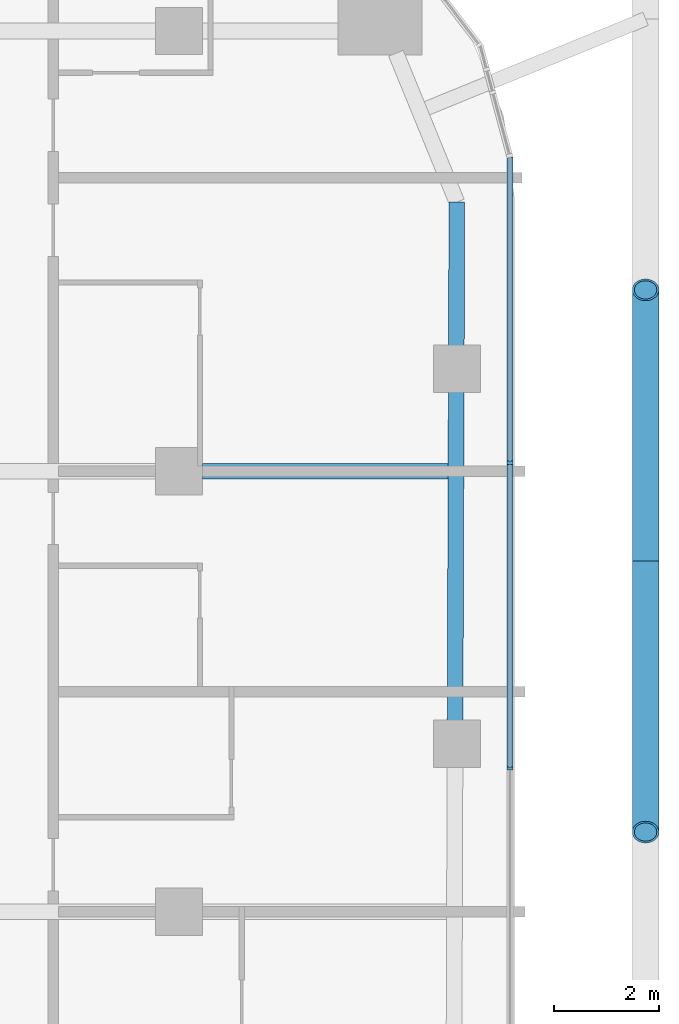
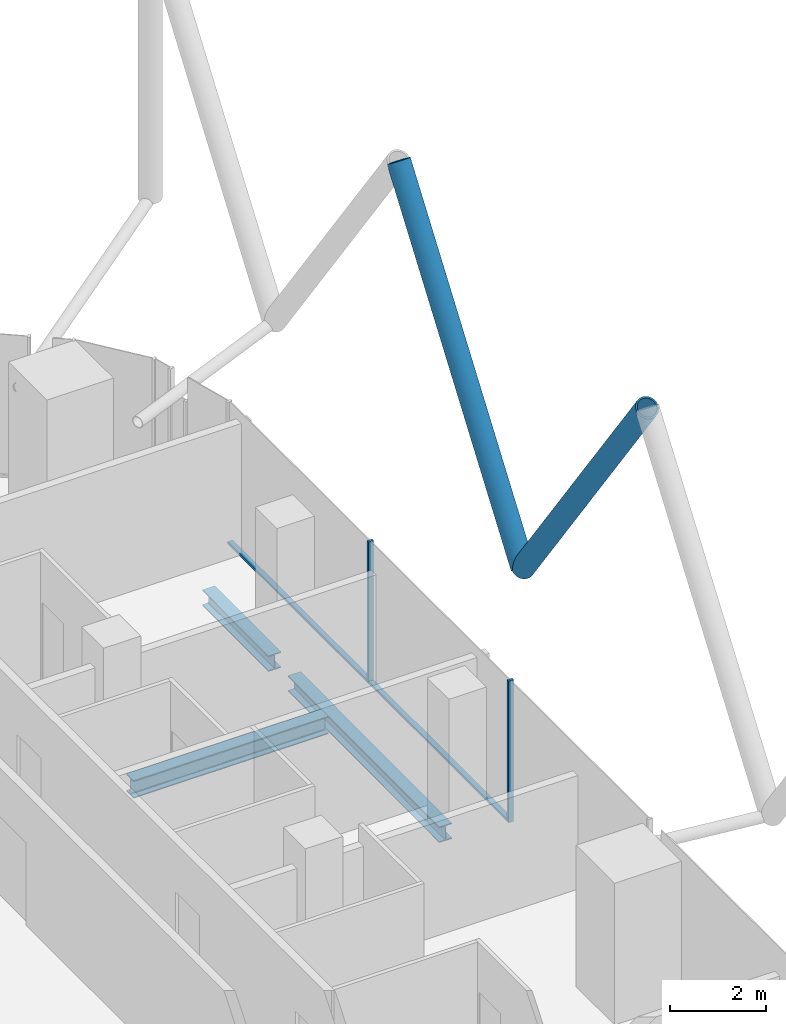
# One storey, part 13 of 36: 6 members, 3 beams, 1 element without a shape of its own.
"""IFC4 building model written with IfcOpenShell, lengths in metres."""

from ifc_helpers import new_model, si_unit, direction, frame, origin, origin_2d, place, context, subcontext, project, spatial, rectangle, hollow_circle, i_section, extrude, material, layer, layer_set, material_profile, profile_set, type_object, element, aggregate, save


model = new_model("IFC4")

# Units and contexts
model_context = context("Model", 3, precision=1e-05, world=origin(), true_north=direction((0.0, 1.0)))
body_context = subcontext(model_context, "Body", "Model", "MODEL_VIEW")
ifc_project = project(units=[si_unit("LENGTHUNIT", "METRE"), si_unit("AREAUNIT", "SQUARE_METRE"), si_unit("VOLUMEUNIT", "CUBIC_METRE"), si_unit("PLANEANGLEUNIT", "RADIAN"), si_unit("MASSUNIT", "GRAM", prefix="KILO")], contexts=[model_context])

# Site, building, storey
site_placement = place(None, origin())
site = spatial("IfcSite", under=ifc_project, at=site_placement, CompositionType="ELEMENT")
building_placement = place(site_placement, origin())
building = spatial("IfcBuilding", under=site, at=building_placement, Name="Marenta Gate Hotel Tower", CompositionType="ELEMENT")
storey_placement = place(building_placement, frame((0.0, 0.0, 130.10009765625)))
storey = spatial("IfcBuildingStorey", under=building, at=storey_placement, Name="L29", CompositionType="ELEMENT", Elevation=130.10009765625)

# Members
ifc_material_1 = material(Name="Steel S355J2W", Category="steel")
ifc_material_profile_1 = material_profile(ifc_material_1, hollow_circle(Radius=0.25390625, WallThickness=0.0400390625, at=origin_2d()), Name="CHS 508x40")
ifc_profile_set_1 = profile_set([ifc_material_profile_1], Name="Steel S355J2W")
member_type_1 = type_object("IfcMemberType", Name="Diagrid diagonal Z2 CHS 508x40", PredefinedType="BRACE", material=ifc_profile_set_1)
member_1_placement = place(storey_placement, frame((29.89990234375, 15.090087890625, 3.139892578125), z_axis=(0.0, 0.583260841117, 0.812284919975), x_axis=(-1.0, 0.0, 0.0)))
element("IfcMember", 1, at=member_1_placement, inside=storey, type_object=member_type_1, Name="L29-DG-3", PredefinedType="BRACE", context=body_context, shape_type="SweptSolid", body=[
    extrude(hollow_circle(Radius=0.25390625, WallThickness=0.0400390625, at=origin_2d()), origin(), (0.0, 0.0, 1.0), 8.86376953125),
])
member_2_placement = place(storey_placement, frame((29.89990234375, 15.090087890625, 3.139892578125), z_axis=(0.0, -0.583279014058, 0.812271870595), x_axis=(1.0, 0.0, 0.0)))
element("IfcMember", 2, at=member_2_placement, inside=storey, type_object=member_type_1, Name="L29-DG-4", PredefinedType="BRACE", context=body_context, shape_type="SweptSolid", body=[
    extrude(hollow_circle(Radius=0.25390625, WallThickness=0.0400390625, at=origin_2d()), origin(), (0.0, 0.0, 1.0), 8.864013671875),
])

# Beams
ifc_material_2 = material(Name="Steel S355", Category="steel")
ifc_material_profile_2 = material_profile(ifc_material_2, i_section(OverallWidth=0.300048828125, OverallDepth=0.39990234375, WebThickness=0.013427734375, FlangeThickness=0.02392578125, FilletRadius=0.027099609375, at=origin_2d()), Name="HEB 400")
ifc_profile_set_2 = profile_set([ifc_material_profile_2], Name="Steel S355")
beam_type_1 = type_object("IfcBeamType", Name="Edge beam HEB 400", PredefinedType="SPANDREL", material=ifc_profile_set_2)
beam_1_placement = place(storey_placement, frame((26.300048828125, 21.9345703125, -0.460205078125), z_axis=(-0.003351542298, -0.999994383566, 0.0), x_axis=(0.999994383566, -0.003351542298, 0.0)))
element("IfcBeam", 3, at=beam_1_placement, inside=storey, type_object=beam_type_1, Name="L29-EB-22", PredefinedType="SPANDREL", context=body_context, shape_type="SweptSolid", body=[
    extrude(i_section(OverallWidth=0.300048828125, OverallDepth=0.39990234375, WebThickness=0.013427734375, FlangeThickness=0.02392578125, FilletRadius=0.027099609375, at=origin_2d()), origin(), (0.0, 0.0, 1.0), 2.76806640625),
])
beam_2_placement = place(storey_placement, frame((26.2880859375, 18.346435546875, -0.460205078125), z_axis=(-0.00335374545, -0.99999437618, 0.0), x_axis=(0.99999437618, -0.00335374545, 0.0)))
element("IfcBeam", 4, at=beam_2_placement, inside=storey, type_object=beam_type_1, Name="L29-EB-23", PredefinedType="SPANDREL", context=body_context, shape_type="SweptSolid", body=[
    extrude(i_section(OverallWidth=0.300048828125, OverallDepth=0.39990234375, WebThickness=0.013427734375, FlangeThickness=0.02392578125, FilletRadius=0.027099609375, at=origin_2d()), origin(), (0.0, 0.0, 1.0), 6.333251953125),
])
ifc_material_3 = material(Name="Steel S355", Category="steel")
ifc_material_profile_3 = material_profile(ifc_material_3, i_section(OverallWidth=0.300048828125, OverallDepth=0.449951171875, WebThickness=0.013916015625, FlangeThickness=0.02587890625, FilletRadius=0.027099609375, at=origin_2d()), Name="HEB 450")
ifc_profile_set_3 = profile_set([ifc_material_profile_3], Name="Steel S355")
beam_type_2 = type_object("IfcBeamType", Name="Girder HEB 450", PredefinedType="BEAM", material=ifc_profile_set_3)
beam_3_placement = place(storey_placement, frame((21.449951171875, 16.800048828125, -0.485107421875), z_axis=(1.0, 0.0, 0.0), x_axis=(0.0, 1.0, 0.0)))
element("IfcBeam", 5, at=beam_3_placement, inside=storey, type_object=beam_type_2, Name="L29-GD-28", PredefinedType="BEAM", context=body_context, shape_type="SweptSolid", body=[
    extrude(i_section(OverallWidth=0.300048828125, OverallDepth=0.449951171875, WebThickness=0.013916015625, FlangeThickness=0.02587890625, FilletRadius=0.027099609375, at=origin_2d()), origin(), (0.0, 0.0, 1.0), 4.682861328125),
])

# Curtain wall, members
ifc_material_4 = material(Name="Tinted insulated glass in bronze anodised frame", Category="glass")
ifc_layer = layer(ifc_material_4, 0.1201171875)
ifc_layer_set = layer_set([ifc_layer], Name="Tinted insulated glass in bronze anodised frame")
curtain_wall_type = type_object("IfcCurtainWallType", Name="Tower unitised curtain wall CW1", PredefinedType="NOTDEFINED", material=ifc_layer_set)
curtain_wall_placement = place(storey_placement, origin())
curtain_wall = element("IfcCurtainWall", 6, at=curtain_wall_placement, inside=storey, type_object=curtain_wall_type, Name="CW1 run G35", PredefinedType="NOTDEFINED")
ifc_material_5 = material(Name="Bronze anodised aluminium", Category="aluminium")
ifc_material_profile_4 = material_profile(ifc_material_5, rectangle(XDim=0.1201171875, YDim=0.06005859375, at=origin_2d()), Name="Mullion CW1 60x120 bronze anodised aluminium")
ifc_profile_set_4 = profile_set([ifc_material_profile_4], Name="Bronze anodised aluminium")
member_type_2 = type_object("IfcMemberType", Name="Mullion CW1 60x120 bronze anodised aluminium", PredefinedType="MULLION", material=ifc_profile_set_4)
member_3_placement = place(storey_placement, frame((27.31396484375, 11.133056640625, 0.0), z_axis=(0.0, 0.0, 1.0), x_axis=(-1.0, 0.0, 0.0)))
member_3 = element("IfcMember", 7, at=member_3_placement, type_object=member_type_2, Name="CW1 mullion 2", PredefinedType="MULLION", context=body_context, shape_type="SweptSolid", body=[
    extrude(rectangle(XDim=0.1201171875, YDim=0.06005859375, at=origin_2d()), origin(), (0.0, 0.0, 1.0), 3.599853515625),
])
member_4_placement = place(storey_placement, frame((27.31396484375, 16.96240234375, 0.0), z_axis=(0.0, 0.0, 1.0), x_axis=(-1.0, 0.0, 0.0)))
member_4 = element("IfcMember", 8, at=member_4_placement, type_object=member_type_2, Name="CW1 mullion 3", PredefinedType="MULLION", context=body_context, shape_type="SweptSolid", body=[
    extrude(rectangle(XDim=0.1201171875, YDim=0.06005859375, at=origin_2d()), origin(), (0.0, 0.0, 1.0), 3.599853515625),
])
ifc_material_6 = material(Name="Bronze anodised aluminium", Category="aluminium")
ifc_material_profile_5 = material_profile(ifc_material_6, rectangle(XDim=0.1201171875, YDim=0.06005859375, at=origin_2d()), Name="Transom CW1 60x120 bronze anodised aluminium")
ifc_profile_set_5 = profile_set([ifc_material_profile_5], Name="Bronze anodised aluminium")
member_type_3 = type_object("IfcMemberType", Name="Transom CW1 60x120 bronze anodised aluminium", PredefinedType="USERDEFINED", material=ifc_profile_set_5)
member_5_placement = place(storey_placement, frame((27.31396484375, 11.1630859375, 0.02978515625), z_axis=(0.0, 1.0, 0.0), x_axis=(-1.0, 0.0, 0.0)))
member_5 = element("IfcMember", 9, at=member_5_placement, type_object=member_type_3, Name="CW1 transom 2.1", ObjectType="TRANSOM", PredefinedType="USERDEFINED", context=body_context, shape_type="SweptSolid", body=[
    extrude(rectangle(XDim=0.1201171875, YDim=0.06005859375, at=origin_2d()), origin(), (0.0, 0.0, 1.0), 5.76953125),
])
member_6_placement = place(storey_placement, frame((27.31396484375, 16.992431640625, 0.02978515625), z_axis=(0.0, 1.0, 0.0), x_axis=(-1.0, 0.0, 0.0)))
member_6 = element("IfcMember", 10, at=member_6_placement, type_object=member_type_3, Name="CW1 transom 3.1", ObjectType="TRANSOM", PredefinedType="USERDEFINED", context=body_context, shape_type="SweptSolid", body=[
    extrude(rectangle(XDim=0.1201171875, YDim=0.06005859375, at=origin_2d()), origin(), (0.0, 0.0, 1.0), 5.799560546875),
])
aggregate(curtain_wall, [member_3, member_4, member_5, member_6])

save(model, "model.ifc")
